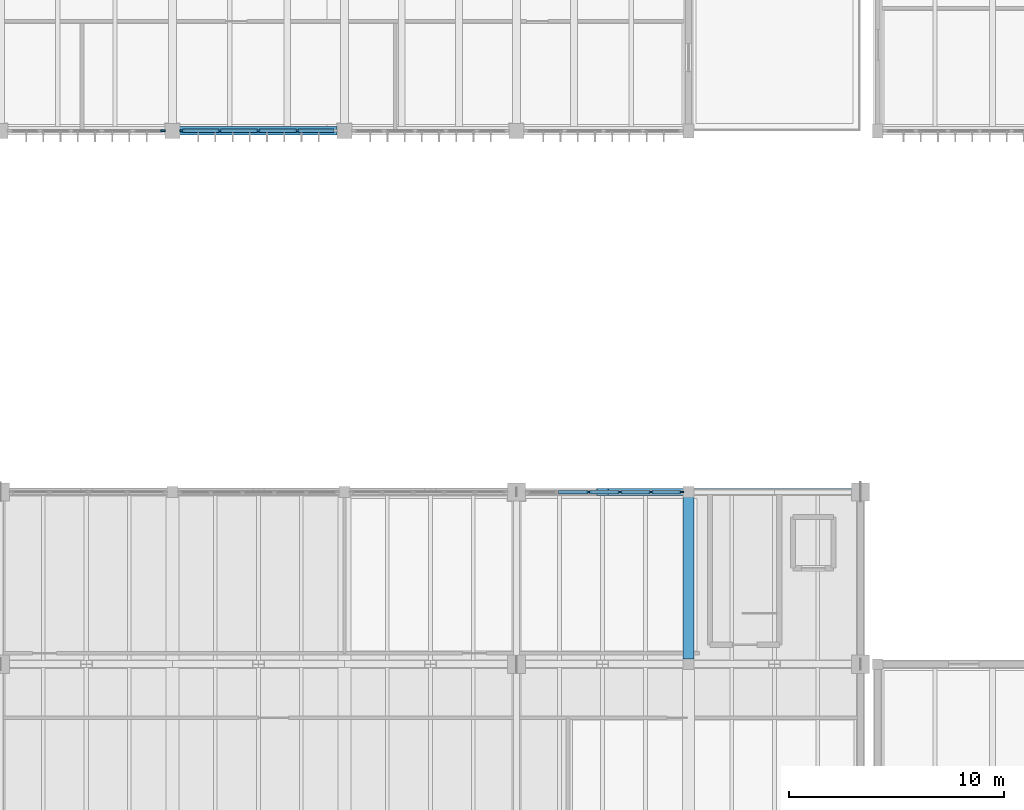
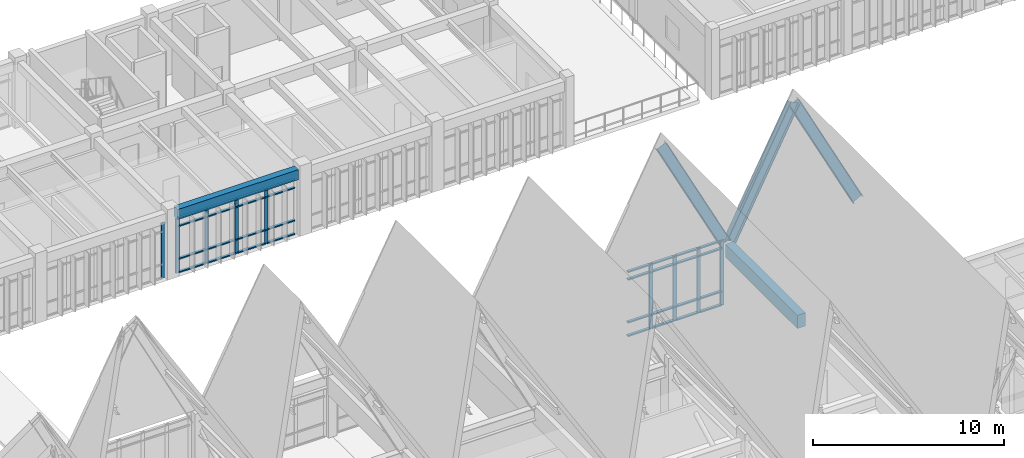
# One storey, part 19 of 72: 44 members, 2 beams, 3 elements without a shape of their own.
"""IFC4 building model written with IfcOpenShell, lengths in metres."""

from ifc_helpers import new_model, si_unit, direction, frame, origin, origin_2d, place, context, subcontext, project, spatial, rectangle, i_section, extrude, material, material_profile, profile_set, type_object, element, aggregate, save


model = new_model("IFC4")

# Units and contexts
model_context = context("Model", 3, precision=1e-05, world=origin(), true_north=direction((0.0, 1.0)))
body_context = subcontext(model_context, "Body", "Model", "MODEL_VIEW")
ifc_project = project(units=[si_unit("LENGTHUNIT", "METRE"), si_unit("AREAUNIT", "SQUARE_METRE"), si_unit("VOLUMEUNIT", "CUBIC_METRE"), si_unit("PLANEANGLEUNIT", "RADIAN"), si_unit("MASSUNIT", "GRAM", prefix="KILO")], contexts=[model_context])

# Site, building, storey
site_placement = place(None, origin())
site = spatial("IfcSite", under=ifc_project, at=site_placement, CompositionType="ELEMENT")
building_placement = place(site_placement, origin())
building = spatial("IfcBuilding", under=site, at=building_placement, Name="Tlaxcora Railside Police Headquarters", CompositionType="ELEMENT")
storey_placement = place(building_placement, frame((0.0, 0.0, 13.5)))
storey = spatial("IfcBuildingStorey", under=building, at=storey_placement, Name="L03", CompositionType="ELEMENT", Elevation=13.5)

# Curtain wall, members
ifc_material_1 = material(Name="Thermally broken low-E insulated glazing", Category="glass")
curtain_wall_type_1 = type_object("IfcCurtainWallType", Name="Unitised Curtain Wall Assembly CW-23", PredefinedType="NOTDEFINED", material=ifc_material_1)
curtain_wall_1_placement = place(storey_placement, origin())
curtain_wall_1 = element("IfcCurtainWall", 1, at=curtain_wall_1_placement, inside=storey, type_object=curtain_wall_type_1, Name="V2 L03 curtain wall 16", PredefinedType="NOTDEFINED")
ifc_material_2 = material(Name="Anodised aluminium framing", Category="aluminium")
ifc_material_profile_1 = material_profile(ifc_material_2, rectangle(XDim=0.080078125, YDim=0.219970703125, at=origin_2d()), Name="AL80X220")
ifc_profile_set_1 = profile_set([ifc_material_profile_1], Name="Anodised aluminium framing")
member_type_1 = type_object("IfcMemberType", Name="Curtain Wall Mullion CW-31", PredefinedType="MULLION", material=ifc_profile_set_1)
member_1_placement = place(storey_placement, frame((93.659912109375, 60.0, 0.0), z_axis=(0.0, 0.0, 1.0), x_axis=(0.0, -1.0, 0.0)))
member_1 = element("IfcMember", 2, at=member_1_placement, type_object=member_type_1, Name="CW mullion 1", PredefinedType="MULLION", context=body_context, shape_type="SweptSolid", body=[
    extrude(rectangle(XDim=0.080078125, YDim=0.219970703125, at=origin_2d()), origin(), (0.0, 0.0, 1.0), 4.169921875),
])
member_2_placement = place(storey_placement, frame((92.2548828125, 60.0, 0.0), z_axis=(0.0, 0.0, 1.0), x_axis=(0.0, -1.0, 0.0)))
member_2 = element("IfcMember", 3, at=member_2_placement, type_object=member_type_1, Name="CW mullion 2", PredefinedType="MULLION", context=body_context, shape_type="SweptSolid", body=[
    extrude(rectangle(XDim=0.080078125, YDim=0.219970703125, at=origin_2d()), origin(), (0.0, 0.0, 1.0), 4.169921875),
])
member_3_placement = place(storey_placement, frame((90.81005859375, 60.0, 0.0), z_axis=(0.0, 0.0, 1.0), x_axis=(0.0, -1.0, 0.0)))
member_3 = element("IfcMember", 4, at=member_3_placement, type_object=member_type_1, Name="CW mullion 3", PredefinedType="MULLION", context=body_context, shape_type="SweptSolid", body=[
    extrude(rectangle(XDim=0.080078125, YDim=0.219970703125, at=origin_2d()), origin(), (0.0, 0.0, 1.0), 4.169921875),
])
member_4_placement = place(storey_placement, frame((89.364990234375, 60.0, 0.0), z_axis=(0.0, 0.0, 1.0), x_axis=(0.0, -1.0, 0.0)))
member_4 = element("IfcMember", 5, at=member_4_placement, type_object=member_type_1, Name="CW mullion 4", PredefinedType="MULLION", context=body_context, shape_type="SweptSolid", body=[
    extrude(rectangle(XDim=0.080078125, YDim=0.219970703125, at=origin_2d()), origin(), (0.0, 0.0, 1.0), 4.169921875),
])

# Curtain wall, member
curtain_wall_2_placement = place(storey_placement, origin())
curtain_wall_2 = element("IfcCurtainWall", 6, at=curtain_wall_2_placement, inside=storey, type_object=curtain_wall_type_1, Name="V5 L03 curtain wall 76", PredefinedType="NOTDEFINED")
member_5_placement = place(storey_placement, frame((69.56005859375, 76.800048828125, 0.0), z_axis=(0.0, 0.0, 1.0), x_axis=(0.0, 1.0, 0.0)))
member_5 = element("IfcMember", 7, at=member_5_placement, type_object=member_type_1, Name="CW mullion 6", PredefinedType="MULLION", context=body_context, shape_type="SweptSolid", body=[
    extrude(rectangle(XDim=0.080078125, YDim=0.219970703125, at=origin_2d()), origin(), (0.0, 0.0, 1.0), 3.52001953125),
])
aggregate(curtain_wall_2, [member_5])

# Curtain wall, members
curtain_wall_type_2 = type_object("IfcCurtainWallType", Name="Unitised Curtain Wall Assembly CW-38", PredefinedType="NOTDEFINED", material=ifc_material_1)
curtain_wall_3_placement = place(storey_placement, origin())
curtain_wall_3 = element("IfcCurtainWall", 8, at=curtain_wall_3_placement, inside=storey, type_object=curtain_wall_type_2, Name="V5 L03 curtain wall 77", PredefinedType="NOTDEFINED")
ifc_material_profile_2 = material_profile(ifc_material_2, rectangle(XDim=0.074951171875, YDim=0.205078125, at=origin_2d()), Name="AL75X205")
ifc_profile_set_2 = profile_set([ifc_material_profile_2], Name="Anodised aluminium framing")
member_type_2 = type_object("IfcMemberType", Name="Curtain Wall Mullion CW-32", PredefinedType="MULLION", material=ifc_profile_set_2)
member_6_placement = place(storey_placement, frame((70.4375, 76.800048828125, 0.0), z_axis=(0.0, 0.0, 1.0), x_axis=(0.0, 1.0, 0.0)))
member_6 = element("IfcMember", 9, at=member_6_placement, type_object=member_type_2, Name="CW mullion 1", PredefinedType="MULLION", context=body_context, shape_type="SweptSolid", body=[
    extrude(rectangle(XDim=0.074951171875, YDim=0.205078125, at=origin_2d()), origin(), (0.0, 0.0, 1.0), 3.52001953125),
])
member_7_placement = place(storey_placement, frame((72.199951171875, 76.800048828125, 0.0), z_axis=(0.0, 0.0, 1.0), x_axis=(0.0, 1.0, 0.0)))
member_7 = element("IfcMember", 10, at=member_7_placement, type_object=member_type_2, Name="CW mullion 2", PredefinedType="MULLION", context=body_context, shape_type="SweptSolid", body=[
    extrude(rectangle(XDim=0.074951171875, YDim=0.205078125, at=origin_2d()), origin(), (0.0, 0.0, 1.0), 3.52001953125),
])
member_8_placement = place(storey_placement, frame((74.0, 76.800048828125, 0.0), z_axis=(0.0, 0.0, 1.0), x_axis=(0.0, 1.0, 0.0)))
member_8 = element("IfcMember", 11, at=member_8_placement, type_object=member_type_2, Name="CW mullion 3", PredefinedType="MULLION", context=body_context, shape_type="SweptSolid", body=[
    extrude(rectangle(XDim=0.074951171875, YDim=0.205078125, at=origin_2d()), origin(), (0.0, 0.0, 1.0), 3.52001953125),
])
member_9_placement = place(storey_placement, frame((75.800048828125, 76.800048828125, 0.0), z_axis=(0.0, 0.0, 1.0), x_axis=(0.0, 1.0, 0.0)))
member_9 = element("IfcMember", 12, at=member_9_placement, type_object=member_type_2, Name="CW mullion 4", PredefinedType="MULLION", context=body_context, shape_type="SweptSolid", body=[
    extrude(rectangle(XDim=0.074951171875, YDim=0.205078125, at=origin_2d()), origin(), (0.0, 0.0, 1.0), 3.52001953125),
])
ifc_material_profile_3 = material_profile(ifc_material_2, rectangle(XDim=0.155029296875, YDim=0.074951171875, at=origin_2d()), Name="AL75X155")
ifc_profile_set_3 = profile_set([ifc_material_profile_3], Name="Anodised aluminium framing")
member_type_3 = type_object("IfcMemberType", Name="Curtain Wall Transom CW-30", PredefinedType="USERDEFINED", material=ifc_profile_set_3)
member_10_placement = place(storey_placement, frame((70.47509765625, 76.800048828125, 0.03759765625), z_axis=(1.0, 0.0, 0.0), x_axis=(0.0, 1.0, 0.0)))
member_10 = element("IfcMember", 13, at=member_10_placement, type_object=member_type_3, Name="CW transom 1.1", ObjectType="TRANSOM", PredefinedType="USERDEFINED", context=body_context, shape_type="SweptSolid", body=[
    extrude(rectangle(XDim=0.155029296875, YDim=0.074951171875, at=origin_2d()), origin(), (0.0, 0.0, 1.0), 1.6875),
])
member_11_placement = place(storey_placement, frame((70.47509765625, 76.800048828125, 0.89990234375), z_axis=(1.0, 0.0, 0.0), x_axis=(0.0, 1.0, 0.0)))
member_11 = element("IfcMember", 14, at=member_11_placement, type_object=member_type_3, Name="CW transom 1.2", ObjectType="TRANSOM", PredefinedType="USERDEFINED", context=body_context, shape_type="SweptSolid", body=[
    extrude(rectangle(XDim=0.155029296875, YDim=0.074951171875, at=origin_2d()), origin(), (0.0, 0.0, 1.0), 1.6875),
])
member_12_placement = place(storey_placement, frame((70.47509765625, 76.800048828125, 2.989990234375), z_axis=(1.0, 0.0, 0.0), x_axis=(0.0, 1.0, 0.0)))
member_12 = element("IfcMember", 15, at=member_12_placement, type_object=member_type_3, Name="CW transom 1.3", ObjectType="TRANSOM", PredefinedType="USERDEFINED", context=body_context, shape_type="SweptSolid", body=[
    extrude(rectangle(XDim=0.155029296875, YDim=0.074951171875, at=origin_2d()), origin(), (0.0, 0.0, 1.0), 1.6875),
])
member_13_placement = place(storey_placement, frame((70.47509765625, 76.800048828125, 3.482421875), z_axis=(1.0, 0.0, 0.0), x_axis=(0.0, 1.0, 0.0)))
member_13 = element("IfcMember", 16, at=member_13_placement, type_object=member_type_3, Name="CW transom 1.4", ObjectType="TRANSOM", PredefinedType="USERDEFINED", context=body_context, shape_type="SweptSolid", body=[
    extrude(rectangle(XDim=0.155029296875, YDim=0.074951171875, at=origin_2d()), origin(), (0.0, 0.0, 1.0), 1.6875),
])
member_14_placement = place(storey_placement, frame((72.237548828125, 76.800048828125, 0.03759765625), z_axis=(1.0, 0.0, 0.0), x_axis=(0.0, 1.0, 0.0)))
member_14 = element("IfcMember", 17, at=member_14_placement, type_object=member_type_3, Name="CW transom 2.1", ObjectType="TRANSOM", PredefinedType="USERDEFINED", context=body_context, shape_type="SweptSolid", body=[
    extrude(rectangle(XDim=0.155029296875, YDim=0.074951171875, at=origin_2d()), origin(), (0.0, 0.0, 1.0), 1.724853515625),
])
member_15_placement = place(storey_placement, frame((72.237548828125, 76.800048828125, 0.89990234375), z_axis=(1.0, 0.0, 0.0), x_axis=(0.0, 1.0, 0.0)))
member_15 = element("IfcMember", 18, at=member_15_placement, type_object=member_type_3, Name="CW transom 2.2", ObjectType="TRANSOM", PredefinedType="USERDEFINED", context=body_context, shape_type="SweptSolid", body=[
    extrude(rectangle(XDim=0.155029296875, YDim=0.074951171875, at=origin_2d()), origin(), (0.0, 0.0, 1.0), 1.724853515625),
])
member_16_placement = place(storey_placement, frame((72.237548828125, 76.800048828125, 2.989990234375), z_axis=(1.0, 0.0, 0.0), x_axis=(0.0, 1.0, 0.0)))
member_16 = element("IfcMember", 19, at=member_16_placement, type_object=member_type_3, Name="CW transom 2.3", ObjectType="TRANSOM", PredefinedType="USERDEFINED", context=body_context, shape_type="SweptSolid", body=[
    extrude(rectangle(XDim=0.155029296875, YDim=0.074951171875, at=origin_2d()), origin(), (0.0, 0.0, 1.0), 1.724853515625),
])
member_17_placement = place(storey_placement, frame((72.237548828125, 76.800048828125, 3.482421875), z_axis=(1.0, 0.0, 0.0), x_axis=(0.0, 1.0, 0.0)))
member_17 = element("IfcMember", 20, at=member_17_placement, type_object=member_type_3, Name="CW transom 2.4", ObjectType="TRANSOM", PredefinedType="USERDEFINED", context=body_context, shape_type="SweptSolid", body=[
    extrude(rectangle(XDim=0.155029296875, YDim=0.074951171875, at=origin_2d()), origin(), (0.0, 0.0, 1.0), 1.724853515625),
])
member_18_placement = place(storey_placement, frame((74.03759765625, 76.800048828125, 0.03759765625), z_axis=(1.0, 0.0, 0.0), x_axis=(0.0, 1.0, 0.0)))
member_18 = element("IfcMember", 21, at=member_18_placement, type_object=member_type_3, Name="CW transom 3.1", ObjectType="TRANSOM", PredefinedType="USERDEFINED", context=body_context, shape_type="SweptSolid", body=[
    extrude(rectangle(XDim=0.155029296875, YDim=0.074951171875, at=origin_2d()), origin(), (0.0, 0.0, 1.0), 1.724853515625),
])
member_19_placement = place(storey_placement, frame((74.03759765625, 76.800048828125, 0.89990234375), z_axis=(1.0, 0.0, 0.0), x_axis=(0.0, 1.0, 0.0)))
member_19 = element("IfcMember", 22, at=member_19_placement, type_object=member_type_3, Name="CW transom 3.2", ObjectType="TRANSOM", PredefinedType="USERDEFINED", context=body_context, shape_type="SweptSolid", body=[
    extrude(rectangle(XDim=0.155029296875, YDim=0.074951171875, at=origin_2d()), origin(), (0.0, 0.0, 1.0), 1.724853515625),
])
member_20_placement = place(storey_placement, frame((74.03759765625, 76.800048828125, 2.989990234375), z_axis=(1.0, 0.0, 0.0), x_axis=(0.0, 1.0, 0.0)))
member_20 = element("IfcMember", 23, at=member_20_placement, type_object=member_type_3, Name="CW transom 3.3", ObjectType="TRANSOM", PredefinedType="USERDEFINED", context=body_context, shape_type="SweptSolid", body=[
    extrude(rectangle(XDim=0.155029296875, YDim=0.074951171875, at=origin_2d()), origin(), (0.0, 0.0, 1.0), 1.724853515625),
])
member_21_placement = place(storey_placement, frame((74.03759765625, 76.800048828125, 3.482421875), z_axis=(1.0, 0.0, 0.0), x_axis=(0.0, 1.0, 0.0)))
member_21 = element("IfcMember", 24, at=member_21_placement, type_object=member_type_3, Name="CW transom 3.4", ObjectType="TRANSOM", PredefinedType="USERDEFINED", context=body_context, shape_type="SweptSolid", body=[
    extrude(rectangle(XDim=0.155029296875, YDim=0.074951171875, at=origin_2d()), origin(), (0.0, 0.0, 1.0), 1.724853515625),
])
member_22_placement = place(storey_placement, frame((75.83740234375, 76.800048828125, 0.03759765625), z_axis=(1.0, 0.0, 0.0), x_axis=(0.0, 1.0, 0.0)))
member_22 = element("IfcMember", 25, at=member_22_placement, type_object=member_type_3, Name="CW transom 4.1", ObjectType="TRANSOM", PredefinedType="USERDEFINED", context=body_context, shape_type="SweptSolid", body=[
    extrude(rectangle(XDim=0.155029296875, YDim=0.074951171875, at=origin_2d()), origin(), (0.0, 0.0, 1.0), 1.6875),
])
member_23_placement = place(storey_placement, frame((75.83740234375, 76.800048828125, 0.89990234375), z_axis=(1.0, 0.0, 0.0), x_axis=(0.0, 1.0, 0.0)))
member_23 = element("IfcMember", 26, at=member_23_placement, type_object=member_type_3, Name="CW transom 4.2", ObjectType="TRANSOM", PredefinedType="USERDEFINED", context=body_context, shape_type="SweptSolid", body=[
    extrude(rectangle(XDim=0.155029296875, YDim=0.074951171875, at=origin_2d()), origin(), (0.0, 0.0, 1.0), 1.6875),
])
member_24_placement = place(storey_placement, frame((75.83740234375, 76.800048828125, 2.989990234375), z_axis=(1.0, 0.0, 0.0), x_axis=(0.0, 1.0, 0.0)))
member_24 = element("IfcMember", 27, at=member_24_placement, type_object=member_type_3, Name="CW transom 4.3", ObjectType="TRANSOM", PredefinedType="USERDEFINED", context=body_context, shape_type="SweptSolid", body=[
    extrude(rectangle(XDim=0.155029296875, YDim=0.074951171875, at=origin_2d()), origin(), (0.0, 0.0, 1.0), 1.6875),
])
member_25_placement = place(storey_placement, frame((75.83740234375, 76.800048828125, 3.482421875), z_axis=(1.0, 0.0, 0.0), x_axis=(0.0, 1.0, 0.0)))
member_25 = element("IfcMember", 28, at=member_25_placement, type_object=member_type_3, Name="CW transom 4.4", ObjectType="TRANSOM", PredefinedType="USERDEFINED", context=body_context, shape_type="SweptSolid", body=[
    extrude(rectangle(XDim=0.155029296875, YDim=0.074951171875, at=origin_2d()), origin(), (0.0, 0.0, 1.0), 1.6875),
])
aggregate(curtain_wall_3, [member_6, member_7, member_8, member_9, member_10, member_11, member_12, member_13, member_14, member_15, member_16, member_17, member_18, member_19, member_20, member_21, member_22, member_23, member_24, member_25])

# Member
ifc_material_profile_4 = material_profile(ifc_material_2, rectangle(XDim=0.1650390625, YDim=0.080078125, at=origin_2d()), Name="AL80X165")
ifc_profile_set_4 = profile_set([ifc_material_profile_4], Name="Anodised aluminium framing")
member_type_4 = type_object("IfcMemberType", Name="Curtain Wall Transom CW-62", PredefinedType="USERDEFINED", material=ifc_profile_set_4)
member_26_placement = place(storey_placement, frame((93.6201171875, 60.0, 0.0400390625), z_axis=(-1.0, 0.0, 0.0), x_axis=(0.0, -1.0, 0.0)))
member_26 = element("IfcMember", 29, at=member_26_placement, type_object=member_type_4, Name="CW transom 1.1", ObjectType="TRANSOM", PredefinedType="USERDEFINED", context=body_context, shape_type="SweptSolid", body=[
    extrude(rectangle(XDim=0.1650390625, YDim=0.080078125, at=origin_2d()), origin(), (0.0, 0.0, 1.0), 1.3251953125),
])

member_27_placement = place(storey_placement, frame((93.6201171875, 60.0, 0.89990234375), z_axis=(-1.0, 0.0, 0.0), x_axis=(0.0, -1.0, 0.0)))
member_27 = element("IfcMember", 30, at=member_27_placement, type_object=member_type_4, Name="CW transom 1.2", ObjectType="TRANSOM", PredefinedType="USERDEFINED", context=body_context, shape_type="SweptSolid", body=[
    extrude(rectangle(XDim=0.1650390625, YDim=0.080078125, at=origin_2d()), origin(), (0.0, 0.0, 1.0), 1.3251953125),
])

member_28_placement = place(storey_placement, frame((93.6201171875, 60.0, 3.639892578125), z_axis=(-1.0, 0.0, 0.0), x_axis=(0.0, -1.0, 0.0)))
member_28 = element("IfcMember", 31, at=member_28_placement, type_object=member_type_4, Name="CW transom 1.3", ObjectType="TRANSOM", PredefinedType="USERDEFINED", context=body_context, shape_type="SweptSolid", body=[
    extrude(rectangle(XDim=0.1650390625, YDim=0.080078125, at=origin_2d()), origin(), (0.0, 0.0, 1.0), 1.3251953125),
])

member_29_placement = place(storey_placement, frame((93.6201171875, 60.0, 4.1298828125), z_axis=(-1.0, 0.0, 0.0), x_axis=(0.0, -1.0, 0.0)))
member_29 = element("IfcMember", 32, at=member_29_placement, type_object=member_type_4, Name="CW transom 1.4", ObjectType="TRANSOM", PredefinedType="USERDEFINED", context=body_context, shape_type="SweptSolid", body=[
    extrude(rectangle(XDim=0.1650390625, YDim=0.080078125, at=origin_2d()), origin(), (0.0, 0.0, 1.0), 1.3251953125),
])

member_30_placement = place(storey_placement, frame((92.215087890625, 60.0, 0.0400390625), z_axis=(-1.0, 0.0, 0.0), x_axis=(0.0, -1.0, 0.0)))
member_30 = element("IfcMember", 33, at=member_30_placement, type_object=member_type_4, Name="CW transom 2.1", ObjectType="TRANSOM", PredefinedType="USERDEFINED", context=body_context, shape_type="SweptSolid", body=[
    extrude(rectangle(XDim=0.1650390625, YDim=0.080078125, at=origin_2d()), origin(), (0.0, 0.0, 1.0), 1.364990234375),
])

member_31_placement = place(storey_placement, frame((92.215087890625, 60.0, 0.89990234375), z_axis=(-1.0, 0.0, 0.0), x_axis=(0.0, -1.0, 0.0)))
member_31 = element("IfcMember", 34, at=member_31_placement, type_object=member_type_4, Name="CW transom 2.2", ObjectType="TRANSOM", PredefinedType="USERDEFINED", context=body_context, shape_type="SweptSolid", body=[
    extrude(rectangle(XDim=0.1650390625, YDim=0.080078125, at=origin_2d()), origin(), (0.0, 0.0, 1.0), 1.364990234375),
])

member_32_placement = place(storey_placement, frame((92.215087890625, 60.0, 3.639892578125), z_axis=(-1.0, 0.0, 0.0), x_axis=(0.0, -1.0, 0.0)))
member_32 = element("IfcMember", 35, at=member_32_placement, type_object=member_type_4, Name="CW transom 2.3", ObjectType="TRANSOM", PredefinedType="USERDEFINED", context=body_context, shape_type="SweptSolid", body=[
    extrude(rectangle(XDim=0.1650390625, YDim=0.080078125, at=origin_2d()), origin(), (0.0, 0.0, 1.0), 1.364990234375),
])

member_33_placement = place(storey_placement, frame((92.215087890625, 60.0, 4.1298828125), z_axis=(-1.0, 0.0, 0.0), x_axis=(0.0, -1.0, 0.0)))
member_33 = element("IfcMember", 36, at=member_33_placement, type_object=member_type_4, Name="CW transom 2.4", ObjectType="TRANSOM", PredefinedType="USERDEFINED", context=body_context, shape_type="SweptSolid", body=[
    extrude(rectangle(XDim=0.1650390625, YDim=0.080078125, at=origin_2d()), origin(), (0.0, 0.0, 1.0), 1.364990234375),
])

member_34_placement = place(storey_placement, frame((90.77001953125, 60.0, 0.0400390625), z_axis=(-1.0, 0.0, 0.0), x_axis=(0.0, -1.0, 0.0)))
member_34 = element("IfcMember", 37, at=member_34_placement, type_object=member_type_4, Name="CW transom 3.1", ObjectType="TRANSOM", PredefinedType="USERDEFINED", context=body_context, shape_type="SweptSolid", body=[
    extrude(rectangle(XDim=0.1650390625, YDim=0.080078125, at=origin_2d()), origin(), (0.0, 0.0, 1.0), 1.364990234375),
])

member_35_placement = place(storey_placement, frame((90.77001953125, 60.0, 0.89990234375), z_axis=(-1.0, 0.0, 0.0), x_axis=(0.0, -1.0, 0.0)))
member_35 = element("IfcMember", 38, at=member_35_placement, type_object=member_type_4, Name="CW transom 3.2", ObjectType="TRANSOM", PredefinedType="USERDEFINED", context=body_context, shape_type="SweptSolid", body=[
    extrude(rectangle(XDim=0.1650390625, YDim=0.080078125, at=origin_2d()), origin(), (0.0, 0.0, 1.0), 1.364990234375),
])

member_36_placement = place(storey_placement, frame((90.77001953125, 60.0, 3.639892578125), z_axis=(-1.0, 0.0, 0.0), x_axis=(0.0, -1.0, 0.0)))
member_36 = element("IfcMember", 39, at=member_36_placement, type_object=member_type_4, Name="CW transom 3.3", ObjectType="TRANSOM", PredefinedType="USERDEFINED", context=body_context, shape_type="SweptSolid", body=[
    extrude(rectangle(XDim=0.1650390625, YDim=0.080078125, at=origin_2d()), origin(), (0.0, 0.0, 1.0), 1.364990234375),
])

member_37_placement = place(storey_placement, frame((90.77001953125, 60.0, 4.1298828125), z_axis=(-1.0, 0.0, 0.0), x_axis=(0.0, -1.0, 0.0)))
member_37 = element("IfcMember", 40, at=member_37_placement, type_object=member_type_4, Name="CW transom 3.4", ObjectType="TRANSOM", PredefinedType="USERDEFINED", context=body_context, shape_type="SweptSolid", body=[
    extrude(rectangle(XDim=0.1650390625, YDim=0.080078125, at=origin_2d()), origin(), (0.0, 0.0, 1.0), 1.364990234375),
])

member_38_placement = place(storey_placement, frame((89.324951171875, 60.0, 0.0400390625), z_axis=(-1.0, 0.0, 0.0), x_axis=(0.0, -1.0, 0.0)))
member_38 = element("IfcMember", 41, at=member_38_placement, type_object=member_type_4, Name="CW transom 4.1", ObjectType="TRANSOM", PredefinedType="USERDEFINED", context=body_context, shape_type="SweptSolid", body=[
    extrude(rectangle(XDim=0.1650390625, YDim=0.080078125, at=origin_2d()), origin(), (0.0, 0.0, 1.0), 1.364990234375),
])

member_39_placement = place(storey_placement, frame((89.324951171875, 60.0, 0.89990234375), z_axis=(-1.0, 0.0, 0.0), x_axis=(0.0, -1.0, 0.0)))
member_39 = element("IfcMember", 42, at=member_39_placement, type_object=member_type_4, Name="CW transom 4.2", ObjectType="TRANSOM", PredefinedType="USERDEFINED", context=body_context, shape_type="SweptSolid", body=[
    extrude(rectangle(XDim=0.1650390625, YDim=0.080078125, at=origin_2d()), origin(), (0.0, 0.0, 1.0), 1.364990234375),
])

member_40_placement = place(storey_placement, frame((89.324951171875, 60.0, 3.639892578125), z_axis=(-1.0, 0.0, 0.0), x_axis=(0.0, -1.0, 0.0)))
member_40 = element("IfcMember", 43, at=member_40_placement, type_object=member_type_4, Name="CW transom 4.3", ObjectType="TRANSOM", PredefinedType="USERDEFINED", context=body_context, shape_type="SweptSolid", body=[
    extrude(rectangle(XDim=0.1650390625, YDim=0.080078125, at=origin_2d()), origin(), (0.0, 0.0, 1.0), 1.364990234375),
])

member_41_placement = place(storey_placement, frame((89.324951171875, 60.0, 4.1298828125), z_axis=(-1.0, 0.0, 0.0), x_axis=(0.0, -1.0, 0.0)))
member_41 = element("IfcMember", 44, at=member_41_placement, type_object=member_type_4, Name="CW transom 4.4", ObjectType="TRANSOM", PredefinedType="USERDEFINED", context=body_context, shape_type="SweptSolid", body=[
    extrude(rectangle(XDim=0.1650390625, YDim=0.080078125, at=origin_2d()), origin(), (0.0, 0.0, 1.0), 1.364990234375),
])

aggregate(curtain_wall_1, [member_1, member_2, member_3, member_4, member_26, member_27, member_28, member_29, member_30, member_31, member_32, member_33, member_34, member_35, member_36, member_37, member_38, member_39, member_40, member_41])

# Beams
ifc_material_3 = material(Name="Concrete C40/50", Category="concrete")
ifc_material_profile_5 = material_profile(ifc_material_3, rectangle(XDim=0.39990234375, YDim=0.64990234375, at=origin_2d()), Name="RC400X650")
ifc_profile_set_5 = profile_set([ifc_material_profile_5], Name="Concrete C40/50")
beam_type_1 = type_object("IfcBeamType", Name="Perimeter Spandrel Beam BM-46", PredefinedType="SPANDREL", material=ifc_profile_set_5)
beam_1_placement = place(storey_placement, frame((70.340087890625, 76.800048828125, 3.864990234375), z_axis=(1.0, 0.0, 0.0), x_axis=(0.0, 1.0, 0.0)))
element("IfcBeam", 45, at=beam_1_placement, inside=storey, type_object=beam_type_1, Name="V5 L03 X-girder Y=76.8", PredefinedType="SPANDREL", context=body_context, shape_type="SweptSolid", body=[
    extrude(rectangle(XDim=0.39990234375, YDim=0.64990234375, at=origin_2d()), origin(), (0.0, 0.0, 1.0), 7.31982421875),
])
ifc_material_profile_6 = material_profile(ifc_material_3, rectangle(XDim=0.5, YDim=0.85009765625, at=origin_2d()), Name="RC500X850")
ifc_profile_set_6 = profile_set([ifc_material_profile_6], Name="Concrete C40/50")
beam_type_2 = type_object("IfcBeamType", Name="Primary Frame Girder BM-64", PredefinedType="BEAM", material=ifc_profile_set_6)
beam_2_placement = place(storey_placement, frame((94.0, 52.239990234375, 3.574951171875), z_axis=(0.0, 1.0, 0.0), x_axis=(-1.0, 0.0, 0.0)))
element("IfcBeam", 46, at=beam_2_placement, inside=storey, type_object=beam_type_2, Name="V2 L03 Y-girder X=94.0", PredefinedType="BEAM", context=body_context, shape_type="SweptSolid", body=[
    extrude(rectangle(XDim=0.5, YDim=0.85009765625, at=origin_2d()), origin(), (0.0, 0.0, 1.0), 7.52001953125),
])

# Members
ifc_material_4 = material(Name="Steel ASTM A992 Grade 50", Category="steel")
ifc_material_profile_7 = material_profile(ifc_material_4, i_section(OverallWidth=0.3291015625, OverallDepth=0.635009765625, WebThickness=0.017822265625, FlangeThickness=0.031005859375, at=origin_2d()), Name="W24X162")
ifc_profile_set_7 = profile_set([ifc_material_profile_7], Name="Steel ASTM A992 Grade 50")
member_type_5 = type_object("IfcMemberType", Name="Truss Chord Member MB-35", PredefinedType="CHORD", material=ifc_profile_set_7)
for number, where, z_axis, x_axis, name in (
    (47, (93.85009765625, 60.0, 3.919921875), (-0.455243807773, 0.0, 0.890366820745), (0.0, -1.0, 0.0), "Sawtooth rafter 6E Y=60.0"),
    (48, (94.14990234375, 60.0, 3.919921875), (0.455243807773, 0.0, 0.890366820745), (0.0, 1.0, 0.0), "Sawtooth rafter 7W Y=60.0"),
    (49, (101.85009765625, 60.0, 3.919921875), (-0.455243807773, 0.0, 0.890366820745), (0.0, -1.0, 0.0), "Sawtooth rafter 7E Y=60.0"),
):
    element("IfcMember", number, at=place(storey_placement, frame(where, z_axis=z_axis, x_axis=x_axis)), inside=storey, type_object=member_type_5, Name=name, PredefinedType="CHORD", context=body_context, shape_type="SweptSolid", body=[
        extrude(i_section(OverallWidth=0.3291015625, OverallDepth=0.635009765625, WebThickness=0.017822265625, FlangeThickness=0.031005859375, at=origin_2d()), origin(), (0.0, 0.0, 1.0), 8.457275390625),
    ])

save(model, "model.ifc")
